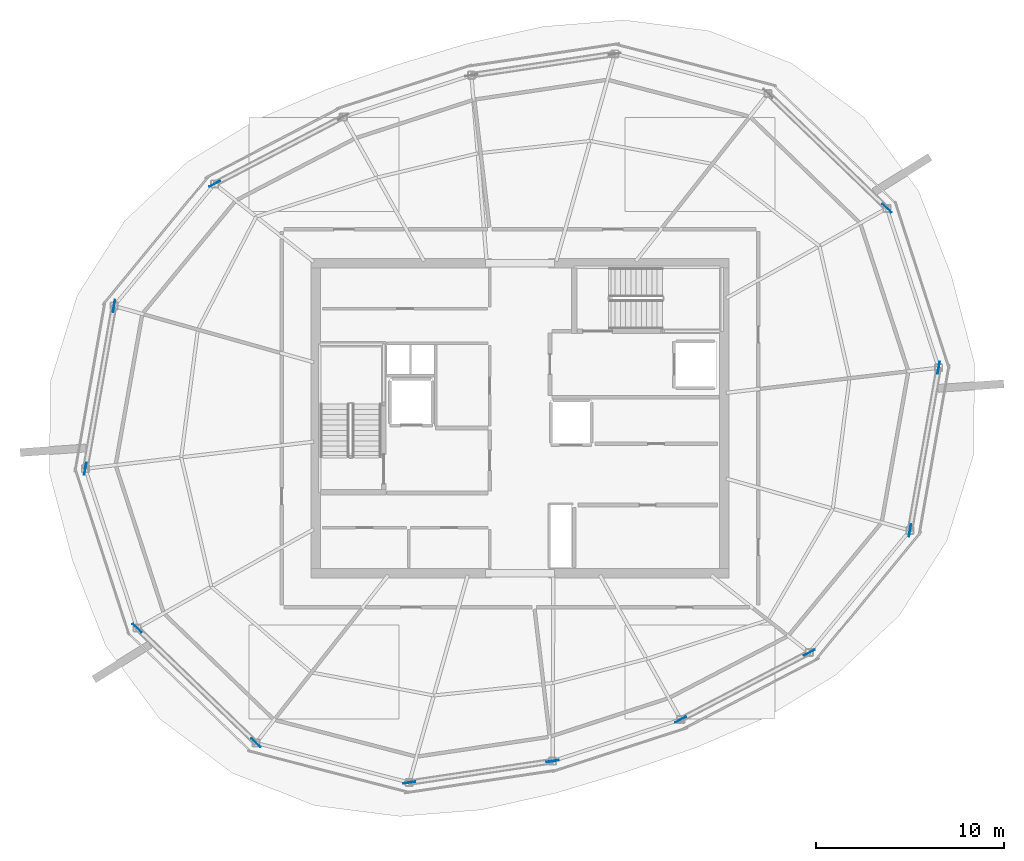
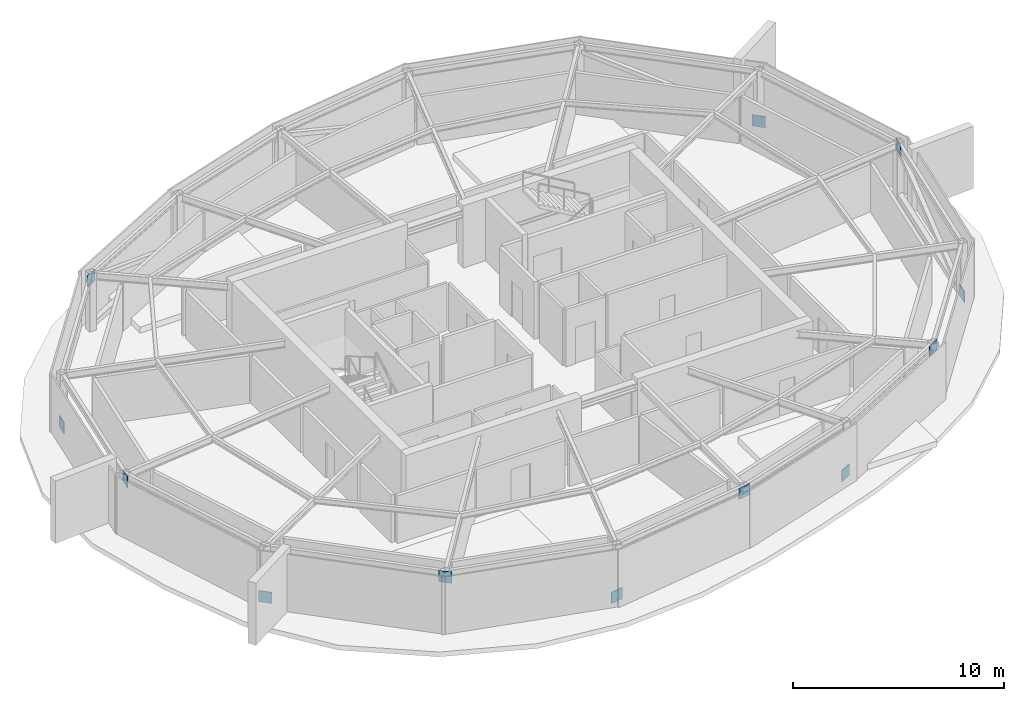
# One storey, part 6 of 10: 12 plates.
"""IFC4 building model written with IfcOpenShell, lengths in metres."""

from ifc_helpers import new_model, si_unit, direction, frame, origin, origin_2d, place, context, subcontext, project, spatial, rectangle, extrude, material, layer, layer_set, type_object, element, save


model = new_model("IFC4")

# Units and contexts
model_context = context("Model", 3, precision=1e-05, world=origin(), true_north=direction((0.0, 1.0)))
body_context = subcontext(model_context, "Body", "Model", "MODEL_VIEW")
ifc_project = project(units=[si_unit("LENGTHUNIT", "METRE"), si_unit("AREAUNIT", "SQUARE_METRE"), si_unit("VOLUMEUNIT", "CUBIC_METRE"), si_unit("PLANEANGLEUNIT", "RADIAN"), si_unit("MASSUNIT", "GRAM", prefix="KILO")], contexts=[model_context])

# Site, building, storey
site_placement = place(None, origin())
site = spatial("IfcSite", under=ifc_project, at=site_placement, CompositionType="ELEMENT")
building_placement = place(site_placement, origin())
building = spatial("IfcBuilding", under=site, at=building_placement, Name="Kazma Halo Residences", CompositionType="ELEMENT")
storey_placement = place(building_placement, frame((0.0, 0.0, 363.199951171875)))
storey = spatial("IfcBuildingStorey", under=building, at=storey_placement, Name="L91", CompositionType="ELEMENT", Elevation=363.199951171875)

# Plates
ifc_material = material(Name="Steel S355", Category="steel")
ifc_layer = layer(ifc_material, 0.0400390625)
ifc_layer_set = layer_set([ifc_layer], Name="Steel S355")
plate_type = type_object("IfcPlateType", Name="PLT-GUSSET-40", PredefinedType="SHEET", material=ifc_layer_set)
for number, where, z_axis, x_axis, name in (
    (1, (67.940673828125, 53.167236328125, -0.044921875), (0.0, 0.0, 1.0), (-0.719342064482, 0.694656025863, 0.0), "L91 crown brace lower gusset 01"),
    (2, (32.184814453125, 54.467529296875, 2.614990234375), (0.0, 0.0, 1.0), (-0.886949727325, -0.461865977529, 0.0), "L91 crown brace upper gusset 05"),
    (3, (26.830078125, 47.970458984375, -0.044921875), (0.0, 0.0, 1.0), (-0.173656186938, -0.984806340728, 0.0), "L91 crown brace lower gusset 07"),
    (4, (25.3037109375, 39.313720703125, 2.614990234375), (0.0, 0.0, 1.0), (-0.173656186938, -0.984806340728, 0.0), "L91 crown brace upper gusset 07"),
    (5, (28.059326171875, 30.832763671875, -0.044921875), (0.0, 0.0, 1.0), (0.719342064482, -0.694656025863, 0.0), "L91 crown brace lower gusset 09"),
    (6, (34.382568359375, 24.726318359375, 2.614990234375), (0.0, 0.0, 1.0), (0.719342064482, -0.694656025863, 0.0), "L91 crown brace upper gusset 09"),
    (7, (42.53369140625, 22.61767578125, -0.044921875), (0.0, 0.0, 1.0), (0.98903421845, 0.147686542161, 0.0), "L91 crown brace lower gusset 11"),
    (8, (50.1591796875, 23.75634765625, 2.614990234375), (0.0, 0.0, 1.0), (0.98903421845, 0.147686542161, 0.0), "L91 crown brace upper gusset 11"),
    (9, (56.9765625, 25.97119140625, -0.044921875), (0.0, 0.0, 1.0), (0.886949727325, 0.461865977529, 0.0), "L91 crown brace lower gusset 13"),
    (10, (63.815185546875, 29.532470703125, 2.614990234375), (0.0, 0.0, 1.0), (0.886949727325, 0.461865977529, 0.0), "L91 crown brace upper gusset 13"),
    (11, (69.169921875, 36.029541015625, -0.044921875), (0.0, 0.0, 1.0), (0.173656186938, 0.984806340728, 0.0), "L91 crown brace lower gusset 15"),
    (12, (70.6962890625, 44.686279296875, 2.614990234375), (0.0, 0.0, 1.0), (0.173656186938, 0.984806340728, 0.0), "L91 crown brace upper gusset 15"),
):
    element("IfcPlate", number, at=place(storey_placement, frame(where, z_axis=z_axis, x_axis=x_axis)), inside=storey, type_object=plate_type, Name=name, PredefinedType="SHEET", context=body_context, shape_type="SweptSolid", body=[
        extrude(rectangle(XDim=0.64990234375, YDim=0.0400390625, at=origin_2d()), origin(), (0.0, 0.0, 1.0), 0.64990234375),
    ])

save(model, "model.ifc")
